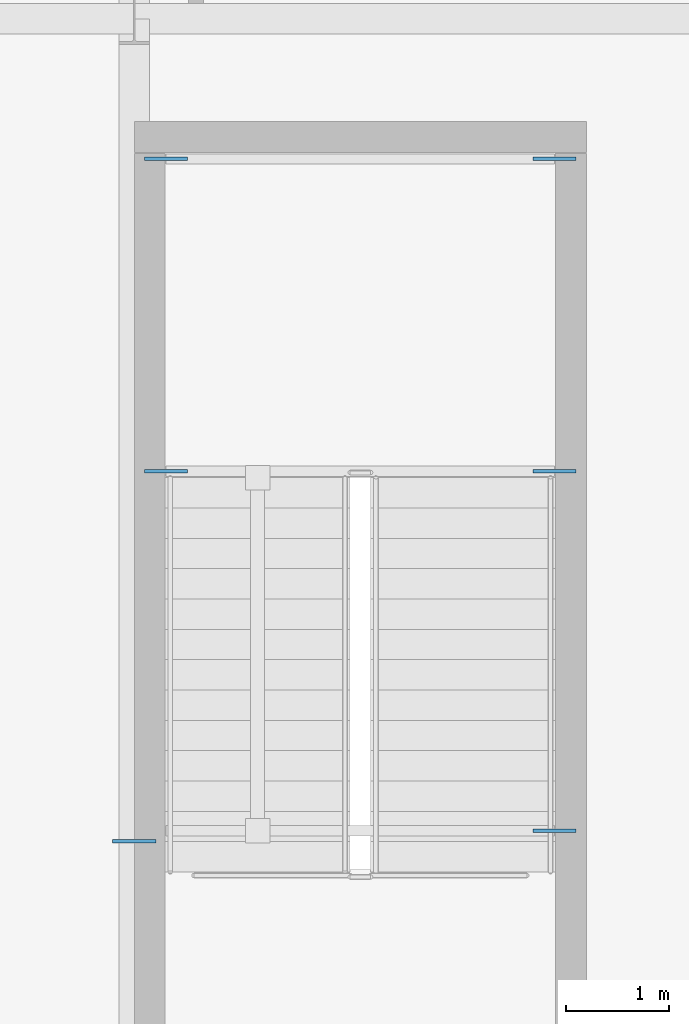
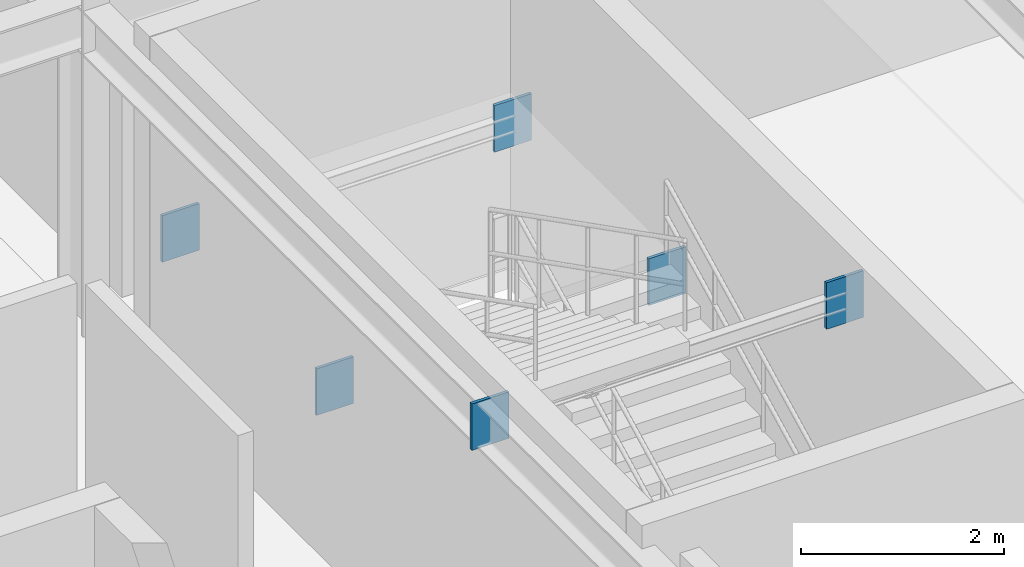
# One storey, part 75 of 122: 6 plates.
"""IFC4 building model written with IfcOpenShell, lengths in metres."""

from ifc_helpers import new_model, si_unit, direction, frame, origin, origin_2d, place, context, subcontext, project, spatial, rectangle, extrude, material, layer, layer_set, type_object, element, save


model = new_model("IFC4")

# Units and contexts
model_context = context("Model", 3, precision=1e-05, world=origin(), true_north=direction((0.0, 1.0)))
body_context = subcontext(model_context, "Body", "Model", "MODEL_VIEW")
ifc_project = project(units=[si_unit("LENGTHUNIT", "METRE"), si_unit("AREAUNIT", "SQUARE_METRE"), si_unit("VOLUMEUNIT", "CUBIC_METRE"), si_unit("PLANEANGLEUNIT", "RADIAN"), si_unit("MASSUNIT", "GRAM", prefix="KILO")], contexts=[model_context])

# Site, building, storey
site_placement = place(None, origin())
site = spatial("IfcSite", under=ifc_project, at=site_placement, CompositionType="ELEMENT")
building_placement = place(site_placement, origin())
building = spatial("IfcBuilding", under=site, at=building_placement, Name="Sundkrona Museum", CompositionType="ELEMENT")
storey_placement = place(building_placement, frame((0.0, 0.0, 5.39990234375)))
storey = spatial("IfcBuildingStorey", under=building, at=storey_placement, Name="L01", CompositionType="ELEMENT", Elevation=5.39990234375)

# Plates
ifc_material = material(Name="Steel S355J2", Category="steel")
ifc_layer = layer(ifc_material, 0.034912109375)
ifc_layer_set = layer_set([ifc_layer], Name="Steel S355J2")
plate_type = type_object("IfcPlateType", Name="EP-1", PredefinedType="USERDEFINED", material=ifc_layer_set)
for number, where, z_axis, x_axis, name in (
    (1, (120.0, 8.0, 3.3701171875), (0.0, 0.0, 1.0), (1.0, 0.0, 0.0), "Core Wall Cast-In Embed Plate BM-L01-Y-1042-2"),
    (2, (120.31005859375, 11.598388671875, 1.5), (0.0, 0.0, 1.0), (1.0, 0.0, 0.0), "Core Wall Cast-In Embed Plate BM-STLD-ST-2-L01-1A-1"),
    (3, (124.090087890625, 11.598388671875, 1.5), (0.0, 0.0, 1.0), (1.0, 0.0, 0.0), "Core Wall Cast-In Embed Plate BM-STLD-ST-2-L01-1A-2"),
    (4, (120.31005859375, 14.63671875, 1.5), (0.0, 0.0, 1.0), (1.0, 0.0, 0.0), "Core Wall Cast-In Embed Plate BM-STLD-ST-2-L01-1B-1"),
    (5, (124.090087890625, 14.63671875, 1.5), (0.0, 0.0, 1.0), (1.0, 0.0, 0.0), "Core Wall Cast-In Embed Plate BM-STLD-ST-2-L01-1B-2"),
    (6, (124.090087890625, 8.10009765625, 3.33349609375), (0.0, 0.0, 1.0), (1.0, 0.0, 0.0), "Core Wall Cast-In Embed Plate BM-STHD-ST-2-L01-2-2"),
):
    element("IfcPlate", number, at=place(storey_placement, frame(where, z_axis=z_axis, x_axis=x_axis)), inside=storey, type_object=plate_type, Name=name, ObjectType="GUSSET PLATE", PredefinedType="USERDEFINED", context=body_context, shape_type="SweptSolid", body=[
        extrude(rectangle(XDim=0.419921875, YDim=0.034912109375, at=origin_2d()), origin(), (0.0, 0.0, 1.0), 0.56005859375),
    ])

save(model, "model.ifc")
